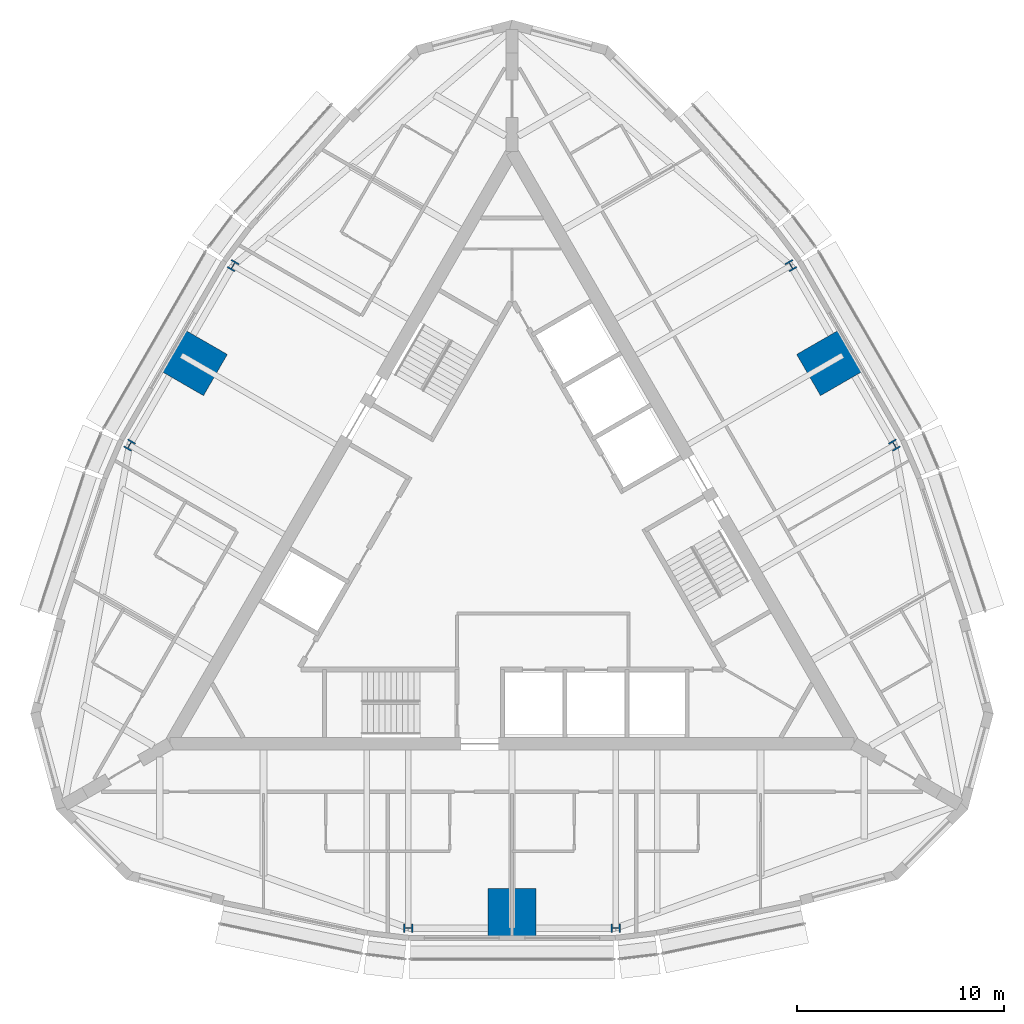
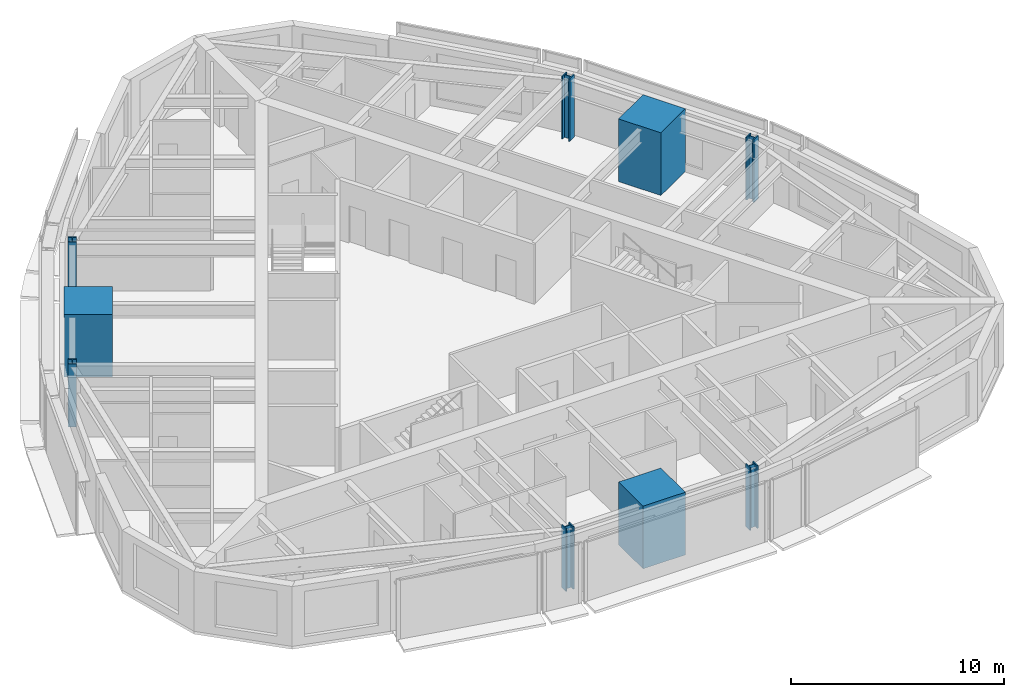
# One storey, part 1 of 12: 9 columns.
"""IFC4 building model written with IfcOpenShell, lengths in metres."""

from ifc_helpers import new_model, si_unit, direction, frame, origin, origin_2d, place, context, subcontext, project, spatial, rectangle, i_section, extrude, material, material_profile, profile_set, type_object, element, save


model = new_model("IFC4")

# Units and contexts
model_context = context("Model", 3, precision=1e-05, world=origin(), true_north=direction((0.0, 1.0)))
body_context = subcontext(model_context, "Body", "Model", "MODEL_VIEW")
ifc_project = project(units=[si_unit("LENGTHUNIT", "METRE"), si_unit("AREAUNIT", "SQUARE_METRE"), si_unit("VOLUMEUNIT", "CUBIC_METRE"), si_unit("PLANEANGLEUNIT", "RADIAN"), si_unit("MASSUNIT", "GRAM", prefix="KILO")], contexts=[model_context])

# Site, building, storey
site_placement = place(None, origin())
site = spatial("IfcSite", under=ifc_project, at=site_placement, CompositionType="ELEMENT")
building_placement = place(site_placement, origin())
building = spatial("IfcBuilding", under=site, at=building_placement, Name="Trikona Tower", CompositionType="ELEMENT")
storey_placement = place(building_placement, frame((0.0, 0.0, 260.89990234375)))
storey = spatial("IfcBuildingStorey", under=building, at=storey_placement, Name="L69", CompositionType="ELEMENT", Elevation=260.89990234375)

# Columns
ifc_material_1 = material(Name="Concrete f'c 10000 psi with encased steel section", Category="concrete")
ifc_material_profile_1 = material_profile(ifc_material_1, rectangle(XDim=2.300048828125, YDim=2.300048828125, at=origin_2d()), Name="MC2300")
ifc_profile_set_1 = profile_set([ifc_material_profile_1], Name="Concrete f'c 10000 psi with encased steel section")
column_type_1 = type_object("IfcColumnType", Name="Composite mega column 2300x2300", PredefinedType="COLUMN", material=ifc_profile_set_1)
for number, where, z_axis, x_axis, name in (
    (1, (0.0, -17.680419921875, 0.0), (0.0, 0.0, 1.0), (0.0, -1.0, 0.0), "Mega column MC1"),
    (2, (15.311767578125, 8.84033203125, 0.0), (0.0, 0.0, 1.0), (0.866025403784, 0.5, 0.0), "Mega column MC2"),
    (3, (-15.311767578125, 8.84033203125, 0.0), (0.0, 0.0, 1.0), (-0.866025403784, 0.5, 0.0), "Mega column MC3"),
):
    element("IfcColumn", number, at=place(storey_placement, frame(where, z_axis=z_axis, x_axis=x_axis)), inside=storey, type_object=column_type_1, Name=name, PredefinedType="COLUMN", context=body_context, shape_type="SweptSolid", body=[
        extrude(rectangle(XDim=2.300048828125, YDim=2.300048828125, at=origin_2d()), origin(), (0.0, 0.0, 1.0), 3.60009765625),
    ])
ifc_material_2 = material(Name="Steel ASTM A992 Grade 50", Category="steel")
ifc_material_profile_2 = material_profile(ifc_material_2, i_section(OverallWidth=0.419189453125, OverallDepth=0.45458984375, WebThickness=0.042236328125, FlangeThickness=0.067626953125, at=origin_2d()), Name="W14X370")
ifc_profile_set_2 = profile_set([ifc_material_profile_2], Name="Steel ASTM A992 Grade 50")
column_type_2 = type_object("IfcColumnType", Name="Steel column W14x370", PredefinedType="COLUMN", material=ifc_profile_set_2)
for number, where, z_axis, x_axis, name in (
    (4, (-5.0, -18.430419921875, 0.0), (0.0, 0.0, 1.0), (0.0, -1.0, 0.0), "Column F0m5"),
    (5, (5.0, -18.430419921875, 0.0), (0.0, 0.0, 1.0), (0.0, -1.0, 0.0), "Column F0p5"),
    (6, (18.461181640625, 4.885009765625, 0.0), (0.0, 0.0, 1.0), (0.866025403784, 0.5, 0.0), "Column F1m5"),
    (7, (13.461181640625, 13.54541015625, 0.0), (0.0, 0.0, 1.0), (0.866025403784, 0.5, 0.0), "Column F1p5"),
    (8, (-13.461181640625, 13.54541015625, 0.0), (0.0, 0.0, 1.0), (-0.866025403784, 0.5, 0.0), "Column F2m5"),
    (9, (-18.461181640625, 4.885009765625, 0.0), (0.0, 0.0, 1.0), (-0.866025403784, 0.5, 0.0), "Column F2p5"),
):
    element("IfcColumn", number, at=place(storey_placement, frame(where, z_axis=z_axis, x_axis=x_axis)), inside=storey, type_object=column_type_2, Name=name, PredefinedType="COLUMN", context=body_context, shape_type="SweptSolid", body=[
        extrude(i_section(OverallWidth=0.419189453125, OverallDepth=0.45458984375, WebThickness=0.042236328125, FlangeThickness=0.067626953125, at=origin_2d()), origin(), (0.0, 0.0, 1.0), 3.60009765625),
    ])

save(model, "model.ifc")
